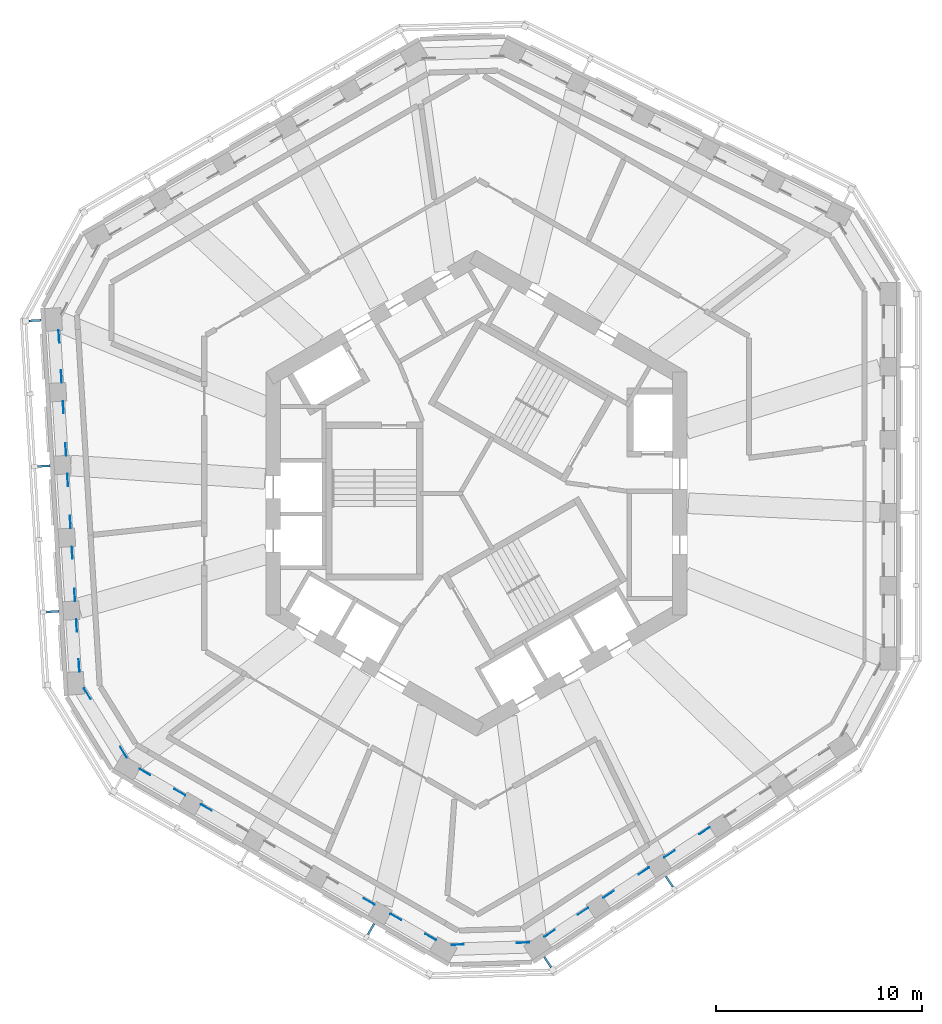
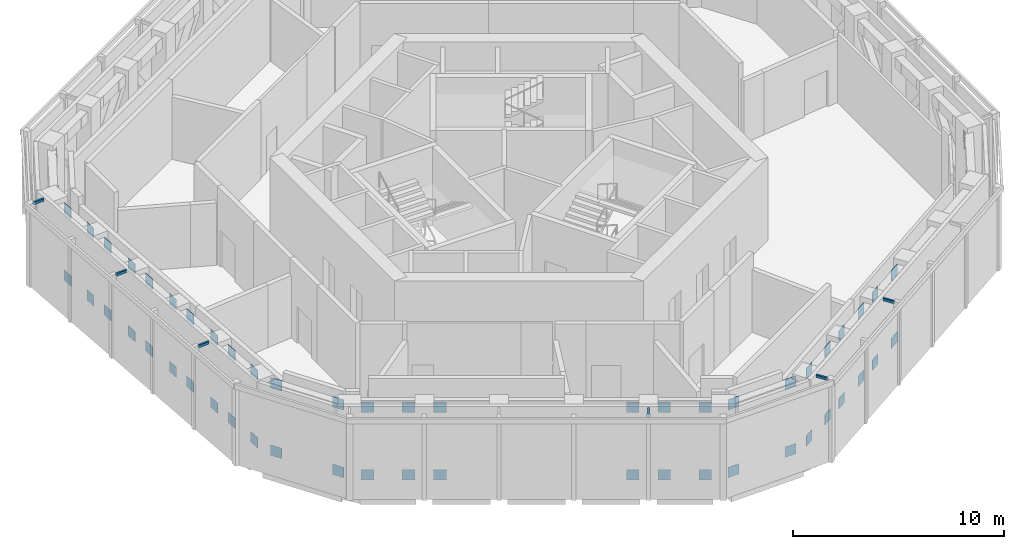
# One storey, part 11 of 14: 58 discrete accessories.
"""IFC4 building model written with IfcOpenShell, lengths in metres."""

from ifc_helpers import new_model, si_unit, direction, frame, origin, origin_2d, place, context, subcontext, project, spatial, rectangle, extrude, material, layer, layer_set, type_object, element, save


model = new_model("IFC4")

# Units and contexts
model_context = context("Model", 3, precision=1e-05, world=origin(), true_north=direction((0.0, 1.0)))
body_context = subcontext(model_context, "Body", "Model", "MODEL_VIEW")
ifc_project = project(units=[si_unit("LENGTHUNIT", "METRE"), si_unit("AREAUNIT", "SQUARE_METRE"), si_unit("VOLUMEUNIT", "CUBIC_METRE"), si_unit("PLANEANGLEUNIT", "RADIAN"), si_unit("MASSUNIT", "GRAM", prefix="KILO")], contexts=[model_context])

# Site, building, storey
site_placement = place(None, origin())
site = spatial("IfcSite", under=ifc_project, at=site_placement, CompositionType="ELEMENT")
building_placement = place(site_placement, origin())
building = spatial("IfcBuilding", under=site, at=building_placement, Name="Vanh Sen Convention Tower", CompositionType="ELEMENT")
storey_placement = place(building_placement, frame((0.0, 0.0, 255.0)))
storey = spatial("IfcBuildingStorey", under=building, at=storey_placement, Name="L63", CompositionType="ELEMENT", Elevation=255.0)

# Discrete accessories
ifc_material_1 = material(Name="Steel S355", Category="steel")
ifc_layer = layer(ifc_material_1, 0.02001953125)
ifc_layer_set = layer_set([ifc_layer], Name="Steel S355")
discrete_accessory_type_1 = type_object("IfcDiscreteAccessoryType", Name="Belt truss gusset plate 600 x 600 x 20", PredefinedType="USERDEFINED", material=ifc_layer_set)
for number, where, z_axis, x_axis, name in (
    (1, (-20.24169921875, 7.598876953125, 0.0), (0.0, 0.0, 1.0), (0.061043313312, -0.998135118058, 0.0), "GUSSET PLATE belt truss chord bottom 19 L63 start"),
    (2, (-20.123046875, 5.65869140625, 0.0), (0.0, 0.0, 1.0), (-0.061043313312, 0.998135118058, 0.0), "GUSSET PLATE belt truss chord bottom 19 L63 end"),
    (3, (-20.24169921875, 7.598876953125, 3.89990234375), (0.0, 0.0, 1.0), (0.061043313312, -0.998135118058, 0.0), "GUSSET PLATE belt truss chord top 19 L63 start"),
    (4, (-20.123046875, 5.65869140625, 3.89990234375), (0.0, 0.0, 1.0), (-0.061043313312, 0.998135118058, 0.0), "GUSSET PLATE belt truss chord top 19 L63 end"),
    (5, (-20.031982421875, 4.171630859375, 0.0), (0.0, 0.0, 1.0), (0.061041571238, -0.998135224597, 0.0), "GUSSET PLATE belt truss chord bottom 20 L63 start"),
    (6, (-19.9072265625, 2.131591796875, 0.0), (0.0, 0.0, 1.0), (-0.061041571238, 0.998135224597, 0.0), "GUSSET PLATE belt truss chord bottom 20 L63 end"),
    (7, (-20.031982421875, 4.171630859375, 3.89990234375), (0.0, 0.0, 1.0), (0.061041571238, -0.998135224597, 0.0), "GUSSET PLATE belt truss chord top 20 L63 start"),
    (8, (-19.9072265625, 2.131591796875, 3.89990234375), (0.0, 0.0, 1.0), (-0.061041571238, 0.998135224597, 0.0), "GUSSET PLATE belt truss chord top 20 L63 end"),
    (9, (-19.81640625, 0.64453125, 0.0), (0.0, 0.0, 1.0), (0.061043313312, -0.998135118058, 0.0), "GUSSET PLATE belt truss chord bottom 21 L63 start"),
    (10, (-19.691650390625, -1.395263671875, 0.0), (0.0, 0.0, 1.0), (-0.061043313312, 0.998135118058, 0.0), "GUSSET PLATE belt truss chord bottom 21 L63 end"),
    (11, (-19.81640625, 0.64453125, 3.89990234375), (0.0, 0.0, 1.0), (0.061043313312, -0.998135118058, 0.0), "GUSSET PLATE belt truss chord top 21 L63 start"),
    (12, (-19.691650390625, -1.395263671875, 3.89990234375), (0.0, 0.0, 1.0), (-0.061043313312, 0.998135118058, 0.0), "GUSSET PLATE belt truss chord top 21 L63 end"),
    (13, (-19.6005859375, -2.882568359375, 0.0), (0.0, 0.0, 1.0), (0.061043313312, -0.998135118058, 0.0), "GUSSET PLATE belt truss chord bottom 22 L63 start"),
    (14, (-19.475830078125, -4.92236328125, 0.0), (0.0, 0.0, 1.0), (-0.061043313312, 0.998135118058, 0.0), "GUSSET PLATE belt truss chord bottom 22 L63 end"),
    (15, (-19.6005859375, -2.882568359375, 3.89990234375), (0.0, 0.0, 1.0), (0.061043313312, -0.998135118058, 0.0), "GUSSET PLATE belt truss chord top 22 L63 start"),
    (16, (-19.475830078125, -4.92236328125, 3.89990234375), (0.0, 0.0, 1.0), (-0.061043313312, 0.998135118058, 0.0), "GUSSET PLATE belt truss chord top 22 L63 end"),
    (17, (-19.385009765625, -6.409423828125, 0.0), (0.0, 0.0, 1.0), (0.061069444408, -0.998133519605, 0.0), "GUSSET PLATE belt truss chord bottom 23 L63 start"),
    (18, (-19.26611328125, -8.349609375, 0.0), (0.0, 0.0, 1.0), (-0.061069444408, 0.998133519605, 0.0), "GUSSET PLATE belt truss chord bottom 23 L63 end"),
    (19, (-19.385009765625, -6.409423828125, 3.89990234375), (0.0, 0.0, 1.0), (0.061069444408, -0.998133519605, 0.0), "GUSSET PLATE belt truss chord top 23 L63 start"),
    (20, (-19.26611328125, -8.349609375, 3.89990234375), (0.0, 0.0, 1.0), (-0.061069444408, 0.998133519605, 0.0), "GUSSET PLATE belt truss chord top 23 L63 end"),
    (21, (-18.861083984375, -9.716552734375, 0.0), (0.0, 0.0, 1.0), (0.526215407796, -0.850351306578, 0.0), "GUSSET PLATE belt truss chord bottom 24 L63 start"),
    (22, (-17.111572265625, -12.5439453125, 0.0), (0.0, 0.0, 1.0), (-0.526215407796, 0.850351306578, 0.0), "GUSSET PLATE belt truss chord bottom 24 L63 end"),
    (23, (-18.861083984375, -9.716552734375, 3.89990234375), (0.0, 0.0, 1.0), (0.526215407796, -0.850351306578, 0.0), "GUSSET PLATE belt truss chord top 24 L63 start"),
    (24, (-17.111572265625, -12.5439453125, 3.89990234375), (0.0, 0.0, 1.0), (-0.526215407796, 0.850351306578, 0.0), "GUSSET PLATE belt truss chord top 24 L63 end"),
    (25, (-16.06884765625, -13.516357421875, 0.0), (0.0, 0.0, 1.0), (0.866026276448, -0.4999984885, 0.0), "GUSSET PLATE belt truss chord bottom 25 L63 start"),
    (26, (-14.385498046875, -14.48828125, 0.0), (0.0, 0.0, 1.0), (-0.866026276448, 0.4999984885, 0.0), "GUSSET PLATE belt truss chord bottom 25 L63 end"),
    (27, (-16.06884765625, -13.516357421875, 3.89990234375), (0.0, 0.0, 1.0), (0.866026276448, -0.4999984885, 0.0), "GUSSET PLATE belt truss chord top 25 L63 start"),
    (28, (-14.385498046875, -14.48828125, 3.89990234375), (0.0, 0.0, 1.0), (-0.866026276448, 0.4999984885, 0.0), "GUSSET PLATE belt truss chord top 25 L63 end"),
    (29, (-13.09521484375, -15.233154296875, 0.0), (0.0, 0.0, 1.0), (0.866026276448, -0.4999984885, 0.0), "GUSSET PLATE belt truss chord bottom 26 L63 start"),
    (30, (-13.09521484375, -15.233154296875, 3.89990234375), (0.0, 0.0, 1.0), (0.866026276448, -0.4999984885, 0.0), "GUSSET PLATE belt truss chord top 26 L63 start"),
    (31, (-5.205078125, -19.788818359375, 0.0), (0.0, 0.0, 1.0), (-0.866026276448, 0.4999984885, 0.0), "GUSSET PLATE belt truss chord bottom 28 L63 end"),
    (32, (-5.205078125, -19.788818359375, 3.89990234375), (0.0, 0.0, 1.0), (-0.866026276448, 0.4999984885, 0.0), "GUSSET PLATE belt truss chord top 28 L63 end"),
    (33, (-3.91455078125, -20.53369140625, 0.0), (0.0, 0.0, 1.0), (0.866033257659, -0.499986396443, 0.0), "GUSSET PLATE belt truss chord bottom 29 L63 start"),
    (34, (-2.231201171875, -21.505615234375, 0.0), (0.0, 0.0, 1.0), (-0.866033257659, 0.499986396443, 0.0), "GUSSET PLATE belt truss chord bottom 29 L63 end"),
    (35, (-3.91455078125, -20.53369140625, 3.89990234375), (0.0, 0.0, 1.0), (0.866033257659, -0.499986396443, 0.0), "GUSSET PLATE belt truss chord top 29 L63 start"),
    (36, (-2.231201171875, -21.505615234375, 3.89990234375), (0.0, 0.0, 1.0), (-0.866033257659, 0.499986396443, 0.0), "GUSSET PLATE belt truss chord top 29 L63 end"),
    (37, (-0.91162109375, -21.878662109375, 0.0), (0.0, 0.0, 1.0), (0.999533537535, 0.030540257725, 0.0), "GUSSET PLATE belt truss chord bottom 30 L63 start"),
    (38, (2.24560546875, -21.7822265625, 0.0), (0.0, 0.0, 1.0), (-0.999533537535, -0.030540257725, 0.0), "GUSSET PLATE belt truss chord bottom 30 L63 end"),
    (39, (-0.91162109375, -21.878662109375, 3.89990234375), (0.0, 0.0, 1.0), (0.999533537535, 0.030540257725, 0.0), "GUSSET PLATE belt truss chord top 30 L63 start"),
    (40, (2.24560546875, -21.7822265625, 3.89990234375), (0.0, 0.0, 1.0), (-0.999533537535, -0.030540257725, 0.0), "GUSSET PLATE belt truss chord top 30 L63 end"),
    (41, (3.5400390625, -21.3291015625, 0.0), (0.0, 0.0, 1.0), (0.833896418343, 0.551920975752, 0.0), "GUSSET PLATE belt truss chord bottom 31 L63 start"),
    (42, (5.160888671875, -20.256591796875, 0.0), (0.0, 0.0, 1.0), (-0.833896418343, -0.551920975752, 0.0), "GUSSET PLATE belt truss chord bottom 31 L63 end"),
    (43, (3.5400390625, -21.3291015625, 3.89990234375), (0.0, 0.0, 1.0), (0.833896418343, 0.551920975752, 0.0), "GUSSET PLATE belt truss chord top 31 L63 start"),
    (44, (5.160888671875, -20.256591796875, 3.89990234375), (0.0, 0.0, 1.0), (-0.833896418343, -0.551920975752, 0.0), "GUSSET PLATE belt truss chord top 31 L63 end"),
    (45, (6.4033203125, -19.43408203125, 0.0), (0.0, 0.0, 1.0), (0.833874262143, 0.551954450055, 0.0), "GUSSET PLATE belt truss chord bottom 32 L63 start"),
    (46, (8.107421875, -18.30615234375, 0.0), (0.0, 0.0, 1.0), (-0.833874262143, -0.551954450055, 0.0), "GUSSET PLATE belt truss chord bottom 32 L63 end"),
    (47, (6.4033203125, -19.43408203125, 3.89990234375), (0.0, 0.0, 1.0), (0.833874262143, 0.551954450055, 0.0), "GUSSET PLATE belt truss chord top 32 L63 start"),
    (48, (8.107421875, -18.30615234375, 3.89990234375), (0.0, 0.0, 1.0), (-0.833874262143, -0.551954450055, 0.0), "GUSSET PLATE belt truss chord top 32 L63 end"),
    (49, (9.349853515625, -17.483642578125, 0.0), (0.0, 0.0, 1.0), (0.833896418343, 0.551920975752, 0.0), "GUSSET PLATE belt truss chord bottom 33 L63 start"),
    (50, (11.05419921875, -16.355712890625, 0.0), (0.0, 0.0, 1.0), (-0.833896418343, -0.551920975752, 0.0), "GUSSET PLATE belt truss chord bottom 33 L63 end"),
    (51, (9.349853515625, -17.483642578125, 3.89990234375), (0.0, 0.0, 1.0), (0.833896418343, 0.551920975752, 0.0), "GUSSET PLATE belt truss chord top 33 L63 start"),
    (52, (11.05419921875, -16.355712890625, 3.89990234375), (0.0, 0.0, 1.0), (-0.833896418343, -0.551920975752, 0.0), "GUSSET PLATE belt truss chord top 33 L63 end"),
):
    element("IfcDiscreteAccessory", number, at=place(storey_placement, frame(where, z_axis=z_axis, x_axis=x_axis)), inside=storey, type_object=discrete_accessory_type_1, Name=name, ObjectType="GUSSET PLATE", PredefinedType="USERDEFINED", context=body_context, shape_type="SweptSolid", body=[
        extrude(rectangle(XDim=0.60009765625, YDim=0.02001953125, at=origin_2d()), origin(), (0.0, 0.0, 1.0), 0.60009765625),
    ])
ifc_material_2 = material(Name="Steel S355", Category="steel")
discrete_accessory_type_2 = type_object("IfcDiscreteAccessoryType", Name="Fin bracket 100 x 150", PredefinedType="BRACKET", material=ifc_material_2)
for number, where, z_axis, x_axis, name in (
    (53, (-21.401123046875, 8.37451171875, 4.60009765625), (0.0, 0.0, 1.0), (-0.998134798422, -0.061048539535, 0.0), "Fin bracket W-1 L63"),
    (54, (-20.9697265625, 1.3203125, 4.60009765625), (0.0, 0.0, 1.0), (-0.998134798422, -0.061048539535, 0.0), "Fin bracket W-3 L63"),
    (55, (-20.538330078125, -5.733642578125, 4.60009765625), (0.0, 0.0, 1.0), (-0.998134798422, -0.061048539535, 0.0), "Fin bracket W-5 L63"),
    (56, (-5.11474609375, -21.12255859375, 4.60009765625), (0.0, 0.0, 1.0), (-0.5, -0.866025403784, 0.0), "Fin bracket SW-5 L63"),
    (57, (3.447998046875, -22.72119140625, 4.60009765625), (0.0, 0.0, 1.0), (0.551936985312, -0.833885822067, 0.0), "Fin bracket SE-1 L63"),
    (58, (9.34130859375, -18.820556640625, 4.60009765625), (0.0, 0.0, 1.0), (0.551936985312, -0.833885822067, 0.0), "Fin bracket SE-3 L63"),
):
    element("IfcDiscreteAccessory", number, at=place(storey_placement, frame(where, z_axis=z_axis, x_axis=x_axis)), inside=storey, type_object=discrete_accessory_type_2, Name=name, PredefinedType="BRACKET", context=body_context, shape_type="SweptSolid", body=[
        extrude(rectangle(XDim=0.60009765625, YDim=0.10009765625, at=origin_2d()), origin(), (0.0, 0.0, 1.0), 0.14990234375),
    ])

save(model, "model.ifc")
